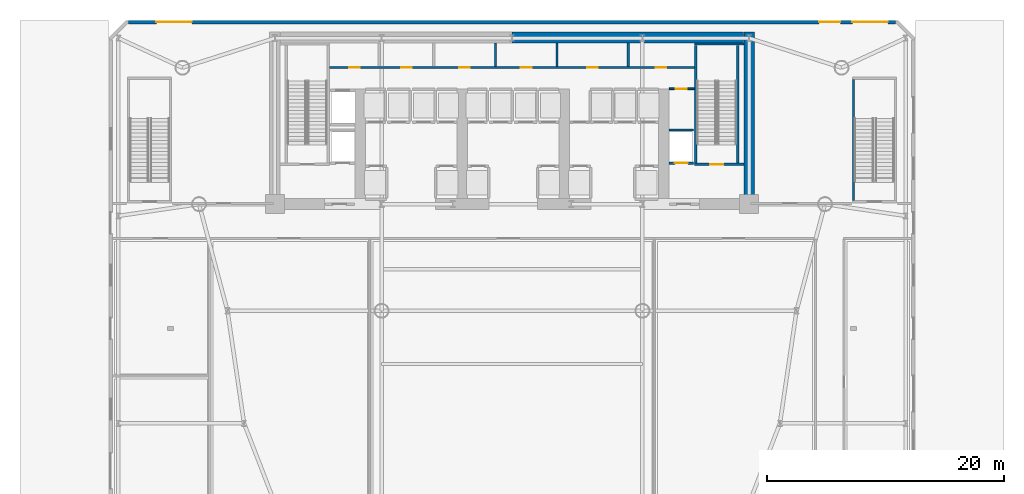
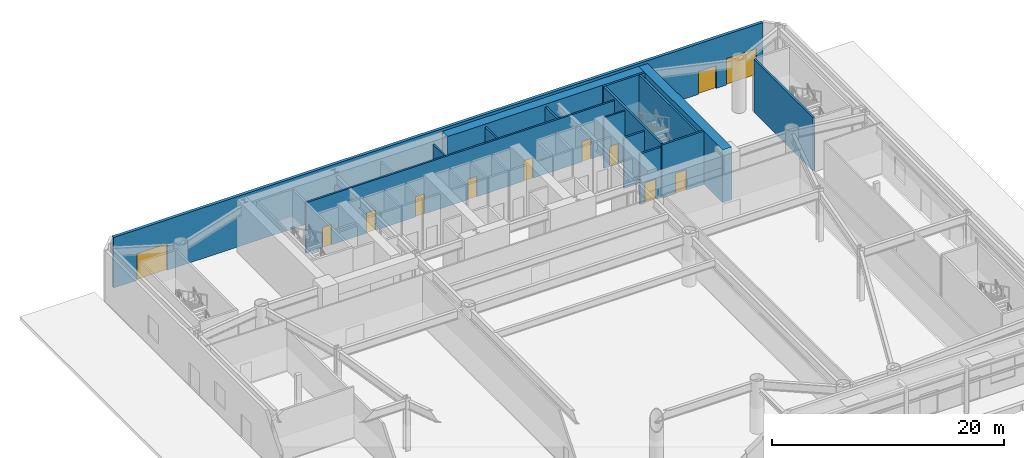
# One storey, part 10 of 20: 15 walls, 12 doors, 12 openings.
"""IFC4 building model written with IfcOpenShell, lengths in metres."""

from ifc_helpers import new_model, si_unit, direction, frame, frame_2d, origin, place, context, subcontext, project, spatial, rectangle, extrude, source, transform, mapped, material, layer, layer_set, type_object, element, fill, save


model = new_model("IFC4")

# Units and contexts
model_context = context("Model", 3, precision=1e-05, world=origin(), true_north=direction((0.0, 1.0)))
body_context = subcontext(model_context, "Body", "Model", "MODEL_VIEW")
ifc_project = project(units=[si_unit("LENGTHUNIT", "METRE"), si_unit("AREAUNIT", "SQUARE_METRE"), si_unit("VOLUMEUNIT", "CUBIC_METRE"), si_unit("PLANEANGLEUNIT", "RADIAN"), si_unit("MASSUNIT", "GRAM", prefix="KILO")], contexts=[model_context])

# Site, building, storey
site_placement = place(None, origin())
site = spatial("IfcSite", under=ifc_project, at=site_placement, CompositionType="ELEMENT")
building_placement = place(site_placement, origin())
building = spatial("IfcBuilding", under=site, at=building_placement, Name="Vaeldorn Concourse Tower", CompositionType="ELEMENT")
storey_placement = place(building_placement, origin())
storey = spatial("IfcBuildingStorey", under=building, at=storey_placement, Name="L00", CompositionType="ELEMENT", Elevation=0.0)

# Walls
ifc_material_1 = material(Name="Concrete C60/75", Category="concrete")
ifc_layer_1 = layer(ifc_material_1, 0.89990234375)
ifc_layer_set_1 = layer_set([ifc_layer_1], Name="Concrete C60/75")
wall_type_1 = type_object("IfcWallType", Name="WL-CORE-900", PredefinedType="SHEAR", material=ifc_layer_set_1)
wall_1_placement = place(storey_placement, frame((34.001953125, 50.550048828125, 0.0), z_axis=(0.0, 0.0, 1.0), x_axis=(1.0, 0.0, 0.0)))
element("IfcWall", 1, at=wall_1_placement, inside=storey, type_object=wall_type_1, Name="Rear Core Shear Wall L00 N2", PredefinedType="SHEAR", context=body_context, shape_type="SweptSolid", body=[
    extrude(rectangle(XDim=19.5439453125, YDim=0.89990234375, at=frame_2d((9.77197265625, 0.0))), origin(), (0.0, 0.0, 1.0), 5.60009765625),
])
wall_2_placement = place(storey_placement, frame((54.0, 36.5, 0.0), z_axis=(0.0, 0.0, 1.0), x_axis=(0.0, 1.0, 0.0)))
element("IfcWall", 2, at=wall_2_placement, inside=storey, type_object=wall_type_1, Name="Rear Core Shear Wall L00 E1", PredefinedType="SHEAR", context=body_context, shape_type="SweptSolid", body=[
    extrude(rectangle(XDim=14.5, YDim=0.89990234375, at=frame_2d((7.25, 0.0))), origin(), (0.0, 0.0, 1.0), 5.60009765625),
])

# Wall, openings, doors
ifc_material_2 = material(Name="Precast concrete C40/50", Category="concrete")
ifc_layer_2 = layer(ifc_material_2, 0.300048828125)
ifc_layer_set_2 = layer_set([ifc_layer_2], Name="Precast concrete C40/50")
wall_type_2 = type_object("IfcWallType", Name="WL-EXT-STATION-300", PredefinedType="STANDARD", material=ifc_layer_set_2)
wall_3_placement = place(storey_placement, frame((1.659912109375, 51.85009765625, 0.0), z_axis=(0.0, 0.0, 1.0), x_axis=(1.0, 0.0, 0.0)))
wall_3 = element("IfcWall", 3, at=wall_3_placement, inside=storey, type_object=wall_type_2, Name="Station Ground Exterior Wall EW-L00-N", PredefinedType="STANDARD", context=body_context, shape_type="SweptSolid", body=[
    extrude(rectangle(XDim=64.68017578125, YDim=0.300048828125, at=frame_2d((32.340087890625, 0.0))), origin(), (0.0, 0.0, 1.0), 5.320068359375),
])
opening_1_placement = place(wall_3_placement, frame((58.239990234375, 0.0, 0.0)))
opening_1 = element("IfcOpeningElement", 4, at=opening_1_placement, cuts=wall_3, Name="Opening EX-1", PredefinedType="OPENING", context=body_context, shape_type="SweptSolid", body=[
    extrude(rectangle(XDim=1.800048828125, YDim=2.39990234375, at=frame_2d((0.89990234375, 1.199951171875))), frame((0.0, 0.16015625, 0.0), z_axis=(0.0, -1.0, 0.0), x_axis=(1.0, 0.0, 0.0)), (0.0, 0.0, 1.0), 0.320068359375),
])
opening_2_placement = place(wall_3_placement, frame((2.340087890625, 0.0, 0.0)))
opening_2 = element("IfcOpeningElement", 5, at=opening_2_placement, cuts=wall_3, Name="Opening GT-1", PredefinedType="OPENING", context=body_context, shape_type="SweptSolid", body=[
    extrude(rectangle(XDim=3.0, YDim=2.800048828125, at=frame_2d((1.5, 1.39990234375))), frame((0.0, 0.16015625, 0.0), z_axis=(0.0, -1.0, 0.0), x_axis=(1.0, 0.0, 0.0)), (0.0, 0.0, 1.0), 0.320068359375),
])
opening_3_placement = place(wall_3_placement, frame((61.0400390625, 0.0, 0.0)))
opening_3 = element("IfcOpeningElement", 6, at=opening_3_placement, cuts=wall_3, Name="Opening GT-1", PredefinedType="OPENING", context=body_context, shape_type="SweptSolid", body=[
    extrude(rectangle(XDim=3.0, YDim=2.800048828125, at=frame_2d((1.5, 1.39990234375))), frame((0.0, 0.16015625, 0.0), z_axis=(0.0, -1.0, 0.0), x_axis=(1.0, 0.0, 0.0)), (0.0, 0.0, 1.0), 0.320068359375),
])
ifc_material_3 = material(Name="Anodised Bronze Aluminium", Category="aluminium")
door_type_1 = type_object("IfcDoorType", Name="DR-EXTERIOR-1800", OperationType="DOUBLE_DOOR_SINGLE_SWING", PredefinedType="DOOR", material=ifc_material_3)
shared_shape_1 = source(origin(), body_context, "Body", "SweptSolid", [
    extrude(rectangle(XDim=1.800048828125, YDim=2.39990234375, at=frame_2d((0.89990234375, 1.199951171875))), frame((0.0, 0.02490234375, 0.0), z_axis=(0.0, -1.0, 0.0), x_axis=(1.0, 0.0, 0.0)), (0.0, 0.0, 1.0), 0.050048828125),
])
door_1_placement = place(opening_1_placement, origin())
door_1 = element("IfcDoor", 7, at=door_1_placement, inside=storey, type_object=door_type_1, Name="Pedestrian Final Exit Door EX-12", OperationType="DOUBLE_DOOR_SINGLE_SWING", OverallHeight=2.39990234375, OverallWidth=1.800048828125, PredefinedType="DOOR", context=body_context, shape_type="MappedRepresentation", body=[
    mapped(shared_shape_1, transform((0.0, 0.0, 0.0), scale=1.0)),
])
fill(opening_1, door_1)
ifc_material_4 = material(Name="Galvanised Steel Cladding", Category="steel")
door_type_2 = type_object("IfcDoorType", Name="DR-OUTSIDE-3000", OperationType="ROLLINGUP", PredefinedType="GATE", material=ifc_material_4)
shared_shape_2 = source(origin(), body_context, "Body", "SweptSolid", [
    extrude(rectangle(XDim=3.0, YDim=2.800048828125, at=frame_2d((1.5, 1.39990234375))), frame((0.0, 0.02490234375, 0.0), z_axis=(0.0, -1.0, 0.0), x_axis=(1.0, 0.0, 0.0)), (0.0, 0.0, 1.0), 0.050048828125),
])
door_2_placement = place(opening_2_placement, origin())
door_2 = element("IfcDoor", 8, at=door_2_placement, inside=storey, type_object=door_type_2, Name="Station Goods Loading Roller Shutter Gate 1", OperationType="ROLLINGUP", OverallHeight=2.800048828125, OverallWidth=3.0, PredefinedType="GATE", context=body_context, shape_type="MappedRepresentation", body=[
    mapped(shared_shape_2, transform((0.0, 0.0, 0.0), scale=1.0)),
])
fill(opening_2, door_2)
door_3_placement = place(opening_3_placement, origin())
door_3 = element("IfcDoor", 9, at=door_3_placement, inside=storey, type_object=door_type_2, Name="Station Goods Loading Roller Shutter Gate 2", OperationType="ROLLINGUP", OverallHeight=2.800048828125, OverallWidth=3.0, PredefinedType="GATE", context=body_context, shape_type="MappedRepresentation", body=[
    mapped(shared_shape_2, transform((0.0, 0.0, 0.0), scale=1.0)),
])
fill(opening_3, door_3)

# Wall, opening, door
ifc_material_5 = material(Name="Gypsum Board Partition", Category="gypsum")
ifc_layer_3 = layer(ifc_material_5, 0.14990234375)
ifc_layer_set_3 = layer_set([ifc_layer_3], Name="Gypsum Board Partition")
wall_type_3 = type_object("IfcWallType", Name="WL-PART-150", PredefinedType="PARTITIONING", material=ifc_layer_set_3)
wall_4_placement = place(storey_placement, frame((47.280029296875, 46.219970703125, 0.0), z_axis=(0.0, 0.0, 1.0), x_axis=(1.0, 0.0, 0.0)))
wall_4 = element("IfcWall", 10, at=wall_4_placement, inside=storey, type_object=wall_type_3, Name="Interior Wall CW-L00-CRSE-N", PredefinedType="PARTITIONING", context=body_context, shape_type="SweptSolid", body=[
    extrude(rectangle(XDim=2.099853515625, YDim=0.14990234375, at=frame_2d((1.0498046875, 0.0))), origin(), (0.0, 0.0, 1.0), 5.320068359375),
])
opening_4_placement = place(wall_4_placement, frame((0.550048828125, 0.0, 0.0)))
opening_4 = element("IfcOpeningElement", 11, at=opening_4_placement, cuts=wall_4, Name="Opening D-02", PredefinedType="OPENING", context=body_context, shape_type="SweptSolid", body=[
    extrude(rectangle(XDim=0.89990234375, YDim=2.10009765625, at=frame_2d((0.449951171875, 1.050048828125))), frame((0.0, 0.0849609375, 0.0), z_axis=(0.0, -1.0, 0.0), x_axis=(1.0, 0.0, 0.0)), (0.0, 0.0, 1.0), 0.169921875),
])
ifc_material_6 = material(Name="Fire-Rated Timber Leaf", Category="wood")
door_type_3 = type_object("IfcDoorType", Name="DR-FD30-900", OperationType="NOTDEFINED", PredefinedType="DOOR", material=ifc_material_6)
shared_shape_3 = source(origin(), body_context, "Body", "SweptSolid", [
    extrude(rectangle(XDim=0.89990234375, YDim=2.10009765625, at=frame_2d((0.449951171875, 1.050048828125))), frame((0.0, 0.02490234375, 0.0), z_axis=(0.0, -1.0, 0.0), x_axis=(1.0, 0.0, 0.0)), (0.0, 0.0, 1.0), 0.050048828125),
])
door_4_placement = place(opening_4_placement, origin())
door_4 = element("IfcDoor", 12, at=door_4_placement, inside=storey, type_object=door_type_3, Name="Interior Door DR-L00-CRSE", OperationType="SINGLE_SWING_RIGHT", OverallHeight=2.10009765625, OverallWidth=0.89990234375, PredefinedType="DOOR", context=body_context, shape_type="MappedRepresentation", body=[
    mapped(shared_shape_3, transform((0.0, 0.0, 0.0), scale=1.0)),
])
fill(opening_4, door_4)

# Wall, openings, doors
ifc_layer_4 = layer(ifc_material_5, 0.179931640625)
ifc_layer_set_4 = layer_set([ifc_layer_4], Name="Gypsum Board Partition")
wall_type_4 = type_object("IfcWallType", Name="WL-PLUMB-180", PredefinedType="PLUMBINGWALL", material=ifc_layer_set_4)
wall_5_placement = place(storey_placement, frame((18.6201171875, 48.02001953125, 0.0), z_axis=(0.0, 0.0, 1.0), x_axis=(1.0, 0.0, 0.0)))
wall_5 = element("IfcWall", 13, at=wall_5_placement, inside=storey, type_object=wall_type_4, Name="Interior Wall CW-L00-NS3", PredefinedType="PLUMBINGWALL", context=body_context, shape_type="SweptSolid", body=[
    extrude(rectangle(XDim=30.759765625, YDim=0.179931640625, at=frame_2d((15.3798828125, 0.0))), origin(), (0.0, 0.0, 1.0), 5.320068359375),
])
opening_5_placement = place(wall_5_placement, frame((1.655029296875, 0.0, 0.0)))
opening_5 = element("IfcOpeningElement", 14, at=opening_5_placement, cuts=wall_5, Name="Opening D-03", PredefinedType="OPENING", context=body_context, shape_type="SweptSolid", body=[
    extrude(rectangle(XDim=0.89990234375, YDim=2.14990234375, at=frame_2d((0.449951171875, 1.074951171875))), frame((0.0, 0.10009765625, 0.0), z_axis=(0.0, -1.0, 0.0), x_axis=(1.0, 0.0, 0.0)), (0.0, 0.0, 1.0), 0.199951171875),
])
opening_6_placement = place(wall_5_placement, frame((6.030029296875, 0.0, 0.0)))
opening_6 = element("IfcOpeningElement", 15, at=opening_6_placement, cuts=wall_5, Name="Opening D-03", PredefinedType="OPENING", context=body_context, shape_type="SweptSolid", body=[
    extrude(rectangle(XDim=0.89990234375, YDim=2.14990234375, at=frame_2d((0.449951171875, 1.074951171875))), frame((0.0, 0.10009765625, 0.0), z_axis=(0.0, -1.0, 0.0), x_axis=(1.0, 0.0, 0.0)), (0.0, 0.0, 1.0), 0.199951171875),
])
opening_7_placement = place(wall_5_placement, frame((10.929931640625, 0.0, 0.0)))
opening_7 = element("IfcOpeningElement", 16, at=opening_7_placement, cuts=wall_5, Name="Opening D-03", PredefinedType="OPENING", context=body_context, shape_type="SweptSolid", body=[
    extrude(rectangle(XDim=0.89990234375, YDim=2.14990234375, at=frame_2d((0.449951171875, 1.074951171875))), frame((0.0, 0.10009765625, 0.0), z_axis=(0.0, -1.0, 0.0), x_axis=(1.0, 0.0, 0.0)), (0.0, 0.0, 1.0), 0.199951171875),
])
opening_8_placement = place(wall_5_placement, frame((16.1298828125, 0.0, 0.0)))
opening_8 = element("IfcOpeningElement", 17, at=opening_8_placement, cuts=wall_5, Name="Opening D-03", PredefinedType="OPENING", context=body_context, shape_type="SweptSolid", body=[
    extrude(rectangle(XDim=0.89990234375, YDim=2.14990234375, at=frame_2d((0.449951171875, 1.074951171875))), frame((0.0, 0.10009765625, 0.0), z_axis=(0.0, -1.0, 0.0), x_axis=(1.0, 0.0, 0.0)), (0.0, 0.0, 1.0), 0.199951171875),
])
opening_9_placement = place(wall_5_placement, frame((21.72998046875, 0.0, 0.0)))
opening_9 = element("IfcOpeningElement", 18, at=opening_9_placement, cuts=wall_5, Name="Opening D-03", PredefinedType="OPENING", context=body_context, shape_type="SweptSolid", body=[
    extrude(rectangle(XDim=0.89990234375, YDim=2.14990234375, at=frame_2d((0.449951171875, 1.074951171875))), frame((0.0, 0.10009765625, 0.0), z_axis=(0.0, -1.0, 0.0), x_axis=(1.0, 0.0, 0.0)), (0.0, 0.0, 1.0), 0.199951171875),
])
opening_10_placement = place(wall_5_placement, frame((27.5048828125, 0.0, 0.0)))
opening_10 = element("IfcOpeningElement", 19, at=opening_10_placement, cuts=wall_5, Name="Opening D-03", PredefinedType="OPENING", context=body_context, shape_type="SweptSolid", body=[
    extrude(rectangle(XDim=0.89990234375, YDim=2.14990234375, at=frame_2d((0.449951171875, 1.074951171875))), frame((0.0, 0.10009765625, 0.0), z_axis=(0.0, -1.0, 0.0), x_axis=(1.0, 0.0, 0.0)), (0.0, 0.0, 1.0), 0.199951171875),
])
ifc_material_7 = material(Name="Acoustic Bronze-Framed Glass Door", Category="glass")
door_type_4 = type_object("IfcDoorType", Name="DR-INT-900", OperationType="NOTDEFINED", PredefinedType="DOOR", material=ifc_material_7)
shared_shape_4 = source(origin(), body_context, "Body", "SweptSolid", [
    extrude(rectangle(XDim=0.89990234375, YDim=2.14990234375, at=frame_2d((0.449951171875, 1.074951171875))), frame((0.0, 0.02490234375, 0.0), z_axis=(0.0, -1.0, 0.0), x_axis=(1.0, 0.0, 0.0)), (0.0, 0.0, 1.0), 0.050048828125),
])
door_5_placement = place(opening_5_placement, origin())
door_5 = element("IfcDoor", 20, at=door_5_placement, inside=storey, type_object=door_type_4, Name="Interior Door DR-L00-CS1", OperationType="SINGLE_SWING_LEFT", OverallHeight=2.14990234375, OverallWidth=0.89990234375, PredefinedType="DOOR", context=body_context, shape_type="MappedRepresentation", body=[
    mapped(shared_shape_4, transform((0.0, 0.0, 0.0), scale=1.0)),
])
fill(opening_5, door_5)
door_6_placement = place(opening_6_placement, origin())
door_6 = element("IfcDoor", 21, at=door_6_placement, inside=storey, type_object=door_type_4, Name="Interior Door DR-L00-CS2", OperationType="SINGLE_SWING_RIGHT", OverallHeight=2.14990234375, OverallWidth=0.89990234375, PredefinedType="DOOR", context=body_context, shape_type="MappedRepresentation", body=[
    mapped(shared_shape_4, transform((0.0, 0.0, 0.0), scale=1.0)),
])
fill(opening_6, door_6)
door_7_placement = place(opening_7_placement, origin())
door_7 = element("IfcDoor", 22, at=door_7_placement, inside=storey, type_object=door_type_4, Name="Interior Door DR-L00-CS3", OperationType="SINGLE_SWING_LEFT", OverallHeight=2.14990234375, OverallWidth=0.89990234375, PredefinedType="DOOR", context=body_context, shape_type="MappedRepresentation", body=[
    mapped(shared_shape_4, transform((0.0, 0.0, 0.0), scale=1.0)),
])
fill(opening_7, door_7)
door_8_placement = place(opening_8_placement, origin())
door_8 = element("IfcDoor", 23, at=door_8_placement, inside=storey, type_object=door_type_4, Name="Interior Door DR-L00-CS4", OperationType="SINGLE_SWING_RIGHT", OverallHeight=2.14990234375, OverallWidth=0.89990234375, PredefinedType="DOOR", context=body_context, shape_type="MappedRepresentation", body=[
    mapped(shared_shape_4, transform((0.0, 0.0, 0.0), scale=1.0)),
])
fill(opening_8, door_8)
door_9_placement = place(opening_9_placement, origin())
door_9 = element("IfcDoor", 24, at=door_9_placement, inside=storey, type_object=door_type_4, Name="Interior Door DR-L00-CS5", OperationType="SINGLE_SWING_LEFT", OverallHeight=2.14990234375, OverallWidth=0.89990234375, PredefinedType="DOOR", context=body_context, shape_type="MappedRepresentation", body=[
    mapped(shared_shape_4, transform((0.0, 0.0, 0.0), scale=1.0)),
])
fill(opening_9, door_9)
door_10_placement = place(opening_10_placement, origin())
door_10 = element("IfcDoor", 25, at=door_10_placement, inside=storey, type_object=door_type_4, Name="Interior Door DR-L00-CS6", OperationType="SINGLE_SWING_RIGHT", OverallHeight=2.14990234375, OverallWidth=0.89990234375, PredefinedType="DOOR", context=body_context, shape_type="MappedRepresentation", body=[
    mapped(shared_shape_4, transform((0.0, 0.0, 0.0), scale=1.0)),
])
fill(opening_10, door_10)

# Walls
for number, where, z_axis, x_axis, name in (
    (26, (32.60009765625, 48.10009765625, 0.0), (0.0, 0.0, 1.0), (0.0, 1.0, 0.0), "Interior Wall CW-L00-NDIV3"),
    (27, (37.800048828125, 48.10009765625, 0.0), (0.0, 0.0, 1.0), (0.0, 1.0, 0.0), "Interior Wall CW-L00-NDIV4"),
    (28, (43.800048828125, 48.10009765625, 0.0), (0.0, 0.0, 1.0), (0.0, 1.0, 0.0), "Interior Wall CW-L00-NDIV5"),
):
    element("IfcWall", number, at=place(storey_placement, frame(where, z_axis=z_axis, x_axis=x_axis)), inside=storey, type_object=wall_type_4, Name=name, PredefinedType="PLUMBINGWALL", context=body_context, shape_type="SweptSolid", body=[
        extrude(rectangle(XDim=1.97998046875, YDim=0.179931640625, at=frame_2d((0.989990234375, 0.0))), origin(), (0.0, 0.0, 1.0), 5.320068359375),
    ])

# Wall, opening, door
ifc_material_8 = material(Name="Concrete C50/60", Category="concrete")
ifc_layer_5 = layer(ifc_material_8, 0.199951171875)
ifc_layer_set_5 = layer_set([ifc_layer_5], Name="Concrete C50/60")
wall_type_5 = type_object("IfcWallType", Name="WL-SHAFT-200", PredefinedType="SOLIDWALL", material=ifc_layer_set_5)
wall_6_placement = place(storey_placement, frame((49.39990234375, 39.85009765625, 0.0), z_axis=(0.0, 0.0, 1.0), x_axis=(1.0, 0.0, 0.0)))
wall_6 = element("IfcWall", 29, at=wall_6_placement, inside=storey, type_object=wall_type_5, Name="Stair Shaft Wall CW-L00-ST-2-S", PredefinedType="SOLIDWALL", context=body_context, shape_type="SweptSolid", body=[
    extrude(rectangle(XDim=4.150146484375, YDim=0.199951171875, at=frame_2d((2.0751953125, 0.0))), origin(), (0.0, 0.0, 1.0), 5.60009765625),
])
opening_11_placement = place(wall_6_placement, frame((1.324951171875, 0.0, 0.0)))
opening_11 = element("IfcOpeningElement", 30, at=opening_11_placement, cuts=wall_6, Name="Opening D-01", PredefinedType="OPENING", context=body_context, shape_type="SweptSolid", body=[
    extrude(rectangle(XDim=1.10009765625, YDim=2.14990234375, at=frame_2d((0.550048828125, 1.074951171875))), frame((0.0, 0.10986328125, 0.0), z_axis=(0.0, -1.0, 0.0), x_axis=(1.0, 0.0, 0.0)), (0.0, 0.0, 1.0), 0.219970703125),
])
ifc_material_9 = material(Name="Fire-Rated Timber and Steel Leaf", Category="steel")
door_type_5 = type_object("IfcDoorType", Name="DR-FD60-1100", OperationType="NOTDEFINED", PredefinedType="DOOR", material=ifc_material_9)
shared_shape_5 = source(origin(), body_context, "Body", "SweptSolid", [
    extrude(rectangle(XDim=1.10009765625, YDim=2.14990234375, at=frame_2d((0.550048828125, 1.074951171875))), frame((0.0, 0.02490234375, 0.0), z_axis=(0.0, -1.0, 0.0), x_axis=(1.0, 0.0, 0.0)), (0.0, 0.0, 1.0), 0.050048828125),
])
door_11_placement = place(opening_11_placement, origin())
door_11 = element("IfcDoor", 31, at=door_11_placement, inside=storey, type_object=door_type_5, Name="Interior Door DR-L00-ST-2", OperationType="SINGLE_SWING_RIGHT", OverallHeight=2.14990234375, OverallWidth=1.10009765625, PredefinedType="DOOR", context=body_context, shape_type="MappedRepresentation", body=[
    mapped(shared_shape_5, transform((0.0, 0.0, 0.0), scale=1.0)),
])
fill(opening_11, door_11)

# Walls
wall_7_placement = place(storey_placement, frame((49.39990234375, 50.0, 0.0), z_axis=(0.0, 0.0, 1.0), x_axis=(1.0, 0.0, 0.0)))
element("IfcWall", 32, at=wall_7_placement, inside=storey, type_object=wall_type_5, Name="Stair Shaft Wall CW-L00-ST-2-N", PredefinedType="SOLIDWALL", context=body_context, shape_type="SweptSolid", body=[
    extrude(rectangle(XDim=4.150146484375, YDim=0.199951171875, at=frame_2d((2.0751953125, 0.0))), origin(), (0.0, 0.0, 1.0), 5.60009765625),
])
for number, where, z_axis, x_axis, name in (
    (33, (49.5, 39.9599609375, 0.0), (0.0, 0.0, 1.0), (0.0, 1.0, 0.0), "Stair Shaft Wall CW-L00-ST-2-W"),
    (34, (53.050048828125, 39.9599609375, 0.0), (0.0, 0.0, 1.0), (0.0, 1.0, 0.0), "Stair Shaft Wall CW-L00-ST-2-E"),
):
    element("IfcWall", number, at=place(storey_placement, frame(where, z_axis=z_axis, x_axis=x_axis)), inside=storey, type_object=wall_type_5, Name=name, PredefinedType="SOLIDWALL", context=body_context, shape_type="SweptSolid", body=[
        extrude(rectangle(XDim=9.929931640625, YDim=0.199951171875, at=frame_2d((4.96484375, 0.0))), origin(), (0.0, 0.0, 1.0), 5.60009765625),
    ])

# Wall, opening, door
wall_8_placement = place(storey_placement, frame((47.260009765625, 39.949951171875, 0.0), z_axis=(0.0, 0.0, 1.0), x_axis=(1.0, 0.0, 0.0)))
wall_8 = element("IfcWall", 35, at=wall_8_placement, inside=storey, type_object=wall_type_5, Name="Interior Wall CW-L00-LF-LF-FF2", PredefinedType="SOLIDWALL", context=body_context, shape_type="SweptSolid", body=[
    extrude(rectangle(XDim=2.070068359375, YDim=0.199951171875, at=frame_2d((1.03515625, 0.0))), origin(), (0.0, 0.0, 1.0), 5.320068359375),
])
opening_12_placement = place(wall_8_placement, frame((0.485107421875, 0.0, 0.0)))
opening_12 = element("IfcOpeningElement", 36, at=opening_12_placement, cuts=wall_8, Name="Opening LD-1", PredefinedType="OPENING", context=body_context, shape_type="SweptSolid", body=[
    extrude(rectangle(XDim=1.10009765625, YDim=2.14990234375, at=frame_2d((0.550048828125, 1.074951171875))), frame((0.0, 0.10986328125, 0.0), z_axis=(0.0, -1.0, 0.0), x_axis=(1.0, 0.0, 0.0)), (0.0, 0.0, 1.0), 0.219970703125),
])
door_type_6 = type_object("IfcDoorType", Name="DR-LIFT-SLIDE-1100", OperationType="DOUBLE_DOOR_SLIDING", PredefinedType="DOOR", material=ifc_material_3)
door_12_placement = place(opening_12_placement, origin())
door_12 = element("IfcDoor", 37, at=door_12_placement, inside=storey, type_object=door_type_6, Name="Lift Landing Door LD-L00-LF-FF2", OperationType="DOUBLE_DOOR_SLIDING", OverallHeight=2.14990234375, OverallWidth=1.10009765625, PredefinedType="DOOR", context=body_context, shape_type="MappedRepresentation", body=[
    mapped(shared_shape_5, transform((0.0, 0.0, 0.0), scale=1.0)),
])
fill(opening_12, door_12)

# Walls
wall_9_placement = place(storey_placement, frame((47.260009765625, 42.75, 0.0), z_axis=(0.0, 0.0, 1.0), x_axis=(1.0, 0.0, 0.0)))
element("IfcWall", 38, at=wall_9_placement, inside=storey, type_object=wall_type_5, Name="Interior Wall CW-L00-LFB-LF-FF2", PredefinedType="SOLIDWALL", context=body_context, shape_type="SweptSolid", body=[
    extrude(rectangle(XDim=2.070068359375, YDim=0.199951171875, at=frame_2d((1.03515625, 0.0))), origin(), (0.0, 0.0, 1.0), 5.320068359375),
])
wall_10_placement = place(storey_placement, frame((62.800048828125, 36.81005859375, 0.0), z_axis=(0.0, 0.0, 1.0), x_axis=(0.0, 1.0, 0.0)))
element("IfcWall", 39, at=wall_10_placement, inside=storey, type_object=wall_type_5, Name="Stair Shaft Wall CW-L00-ST-4-W", PredefinedType="SOLIDWALL", context=body_context, shape_type="SweptSolid", body=[
    extrude(rectangle(XDim=10.179931640625, YDim=0.199951171875, at=frame_2d((5.08984375, 0.0))), origin(), (0.0, 0.0, 1.0), 5.60009765625),
])

save(model, "model.ifc")
